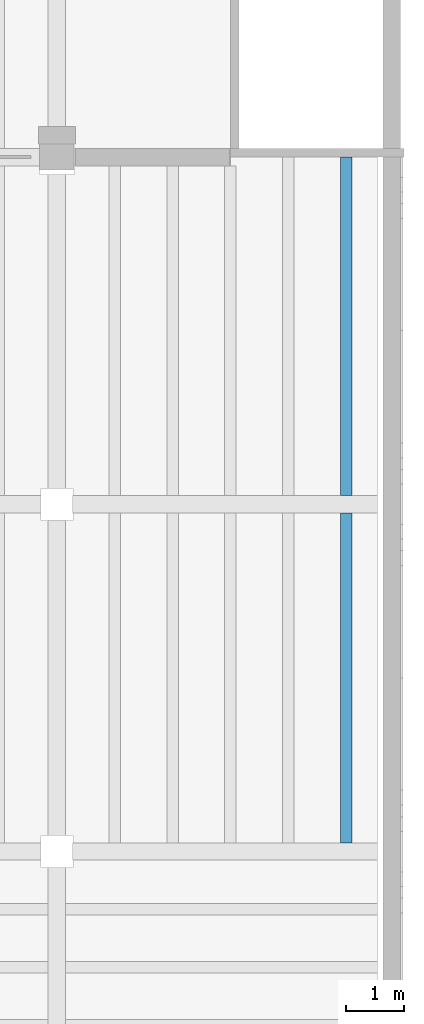
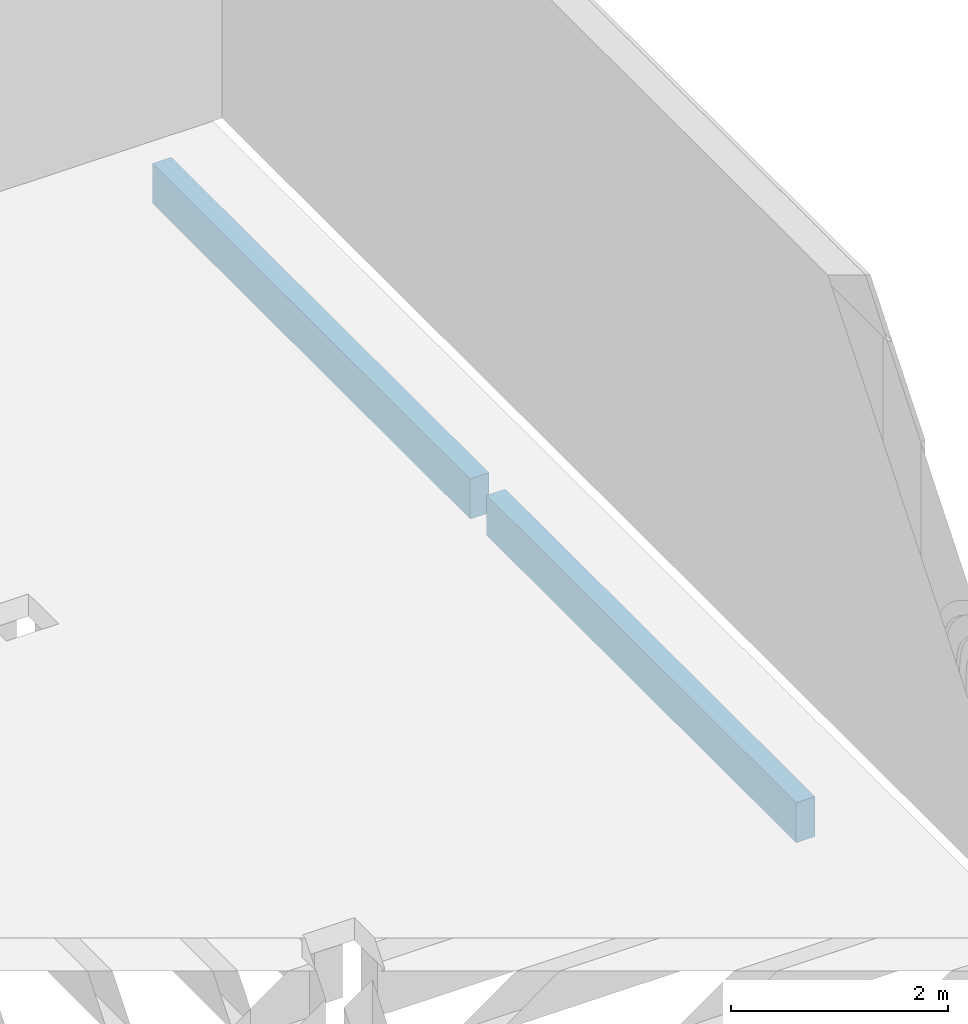
# One storey, part 18 of 80: 2 beams.
"""IFC4 building model written with IfcOpenShell, lengths in metres."""

import ifcopenshell
import ifcopenshell.guid

model = None  # the IFC model being written
_history = None  # IfcOwnerHistory: only IFC2X3 demands one
_inside = {}  # id of a spatial element -> (the spatial element, [elements in it])
_under = {}  # id of a project, library or spatial element -> (it, [spatial elements below it])
_declared = {}  # id of a project -> (the project, [libraries it declares])
_typed = {}  # id of a type object -> (the type object, [elements of that type])
_made_of = {}  # id of a material, layer set ... -> (it, [elements and type objects made of it])


def new_model(schema):
    """Start an empty IFC model of exactly this schema.

    Asked for "IFC4X3", IfcOpenShell would pick the latest addendum, in which some entities
    have other attributes; the version numbers below select the first issue.
    IFC2X3 requires an IfcOwnerHistory on every rooted entity: one is made here for all.
    """
    global model, _history
    if schema == "IFC4X3":
        model = ifcopenshell.file(schema_version=(4, 3, 0, 0))
    else:
        model = ifcopenshell.file(schema=schema)
    _inside.clear()
    _under.clear()
    _declared.clear()
    _typed.clear()
    _made_of.clear()
    _history = None
    if model.schema == "IFC2X3":
        org = make("IfcOrganization", Name="unknown")
        user = make(
            "IfcPersonAndOrganization",
            ThePerson=make("IfcPerson", FamilyName="unknown"),
            TheOrganization=org,
        )
        app = make(
            "IfcApplication",
            ApplicationDeveloper=org,
            Version="unknown",
            ApplicationFullName="unknown",
            ApplicationIdentifier="unknown",
        )
        _history = make(
            "IfcOwnerHistory",
            OwningUser=user,
            OwningApplication=app,
            ChangeAction="ADDED",
            CreationDate=0,
        )
    return model


def make(cls, **values):
    """One entity of the class cls with the attributes given. An attribute that is None is left unset."""
    return model.create_entity(
        cls, **{name: value for name, value in values.items() if value is not None}
    )


def rooted(cls, **values):
    """An entity with a GlobalId (a new one), such as an element, a storey or a relation."""
    return make(cls, GlobalId=ifcopenshell.guid.new(), OwnerHistory=_history, **values)


def si_unit(unit_type, name, prefix=None):
    """IfcSIUnit, for example si_unit("LENGTHUNIT", "METRE", prefix="MILLI")."""
    return make("IfcSIUnit", UnitType=unit_type, Prefix=prefix, Name=name)


def assignment(units):
    """IfcUnitAssignment: the units of a project."""
    return None if units is None else make("IfcUnitAssignment", Units=units)


def point(xyz):
    """IfcCartesianPoint."""
    return None if xyz is None else make("IfcCartesianPoint", Coordinates=xyz)


def direction(xyz):
    """IfcDirection."""
    return None if xyz is None else make("IfcDirection", DirectionRatios=xyz)


def frame(location, z_axis=None, x_axis=None):
    """IfcAxis2Placement3D, a coordinate frame: its origin and axes. An axis left out is left unset."""
    return make(
        "IfcAxis2Placement3D",
        Location=point(location),
        Axis=direction(z_axis),
        RefDirection=direction(x_axis),
    )


def frame_2d(location, x_axis=None):
    """IfcAxis2Placement2D, a coordinate frame in the plane: its origin and x axis."""
    return make(
        "IfcAxis2Placement2D", Location=point(location), RefDirection=direction(x_axis)
    )


def origin():
    """The frame at (0, 0, 0) with its axes left unset."""
    return frame((0.0, 0.0, 0.0))


def origin_2d():
    """The frame at (0, 0) in the plane with its x axis left unset."""
    return frame_2d((0.0, 0.0))


def place(relative_to, where):
    """IfcLocalPlacement: puts the frame where relative to a parent placement (None: the world)."""
    return make(
        "IfcLocalPlacement", PlacementRelTo=relative_to, RelativePlacement=where
    )


def context(
    kind, dimensions, precision=None, world=None, true_north=None, identifier=None
):
    """IfcGeometricRepresentationContext, for example the 3D "Model" context."""
    return make(
        "IfcGeometricRepresentationContext",
        ContextIdentifier=identifier,
        ContextType=kind,
        CoordinateSpaceDimension=dimensions,
        Precision=precision,
        WorldCoordinateSystem=world,
        TrueNorth=true_north,
    )


def subcontext(parent, identifier, kind, view, scale=None):
    """IfcGeometricRepresentationSubContext, for example "Body" below "Model"."""
    return make(
        "IfcGeometricRepresentationSubContext",
        ContextIdentifier=identifier,
        ContextType=kind,
        ParentContext=parent,
        TargetScale=scale,
        TargetView=view,
    )


def project(units=None, contexts=None):
    """IfcProject with its units and contexts."""
    return rooted(
        "IfcProject",
        Name="project",
        RepresentationContexts=contexts,
        UnitsInContext=assignment(units),
    )


def spatial(cls, under=None, at=None, **own):
    """A site, building, storey or space (cls), placed at a placement, below another one or the project."""
    s = rooted(cls, ObjectPlacement=at, **own)
    if under is not None:
        _under.setdefault(under.id(), (under, []))[1].append(s)
    return s


def profile(cls, at=None, kind="AREA", **sizes):
    """A parametric profile (cls). Its sizes go by their IFC names, for example OverallWidth=200.0."""
    return make(cls, ProfileType=kind, Position=at, **sizes)


def rectangle(**sizes):
    """IfcRectangleProfileDef."""
    return profile("IfcRectangleProfileDef", **sizes)


def extrude(swept, where, along, depth):
    """IfcExtrudedAreaSolid: the profile swept, set in the frame where, extruded along a direction by depth."""
    return make(
        "IfcExtrudedAreaSolid",
        SweptArea=swept,
        Position=where,
        ExtrudedDirection=direction(along),
        Depth=depth,
    )


def shape(context_of_items, identifier, shape_type, items):
    """IfcShapeRepresentation: the items that make up one representation, for example the "Body"."""
    return make(
        "IfcShapeRepresentation",
        ContextOfItems=context_of_items,
        RepresentationIdentifier=identifier,
        RepresentationType=shape_type,
        Items=items,
    )


def material(Name=None, Category=None):
    """IfcMaterial."""
    return make("IfcMaterial", Name=Name, Category=Category)


def material_profile(
    of_material, cross_section, Name=None, Category=None, Priority=None
):
    """IfcMaterialProfile: a cross section and its material."""
    return make(
        "IfcMaterialProfile",
        Name=Name,
        Material=of_material,
        Profile=cross_section,
        Priority=Priority,
        Category=Category,
    )


def profile_set(profiles, Name=None, composite=None):
    """IfcMaterialProfileSet."""
    return make(
        "IfcMaterialProfileSet",
        Name=Name,
        MaterialProfiles=profiles,
        CompositeProfile=composite,
    )


def made_of(thing, what):
    """Note that an element or type object is made of a material, layer set ...; save() writes the relation."""
    if what is not None:
        _made_of.setdefault(what.id(), (what, []))[1].append(thing)
    return thing


def type_object(cls, material=None, **own):
    """A type object (cls), such as IfcWallType, which elements share."""
    return made_of(rooted(cls, **own), material)


def element(
    cls,
    number,
    at=None,
    inside=None,
    cuts=None,
    type_object=None,
    material=None,
    context=None,
    identifier="Body",
    shape_type=None,
    held_by="IfcProductDefinitionShape",
    body=None,
    shapes=None,
    **own,
):
    """One element of the class cls, such as IfcWall. Its Tag is "e" and its number.

    at: its placement. inside: the storey or other place that contains it. cuts: it is an
    opening in that element (IfcRelVoidsElement). A single representation is given by context,
    identifier, shape_type and body (its items); several are given by shapes. held_by: the class
    of the entity that holds the representations. save() writes the other relations.
    """
    e = rooted(cls, Tag="e%d" % number, ObjectPlacement=at, **own)
    if body is not None:
        shapes = [shape(context, identifier, shape_type, body)]
    if shapes is not None:
        e.Representation = make(held_by, Representations=shapes)
    if inside is not None:
        _inside.setdefault(inside.id(), (inside, []))[1].append(e)
    if cuts is not None:
        rooted(
            "IfcRelVoidsElement", RelatingBuildingElement=cuts, RelatedOpeningElement=e
        )
    if type_object is not None:
        _typed.setdefault(type_object.id(), (type_object, []))[1].append(e)
    return made_of(e, material)


def aggregate(whole, parts):
    """IfcRelAggregates: a whole, such as a stair, and the parts it consists of."""
    return rooted("IfcRelAggregates", RelatingObject=whole, RelatedObjects=parts)


def save(model, path):
    """Write the relations noted so far, then the file.

    IfcRelAggregates (storeys below a building ...), IfcRelContainedInSpatialStructure (elements
    in a storey), IfcRelDefinesByType, IfcRelAssociatesMaterial and IfcRelDeclares: one each for
    every whole, place, type object, material and project.
    """
    for whole, parts in _under.values():
        aggregate(whole, parts)
    for where, things in _inside.values():
        rooted(
            "IfcRelContainedInSpatialStructure",
            RelatedElements=things,
            RelatingStructure=where,
        )
    for kind, things in _typed.values():
        rooted("IfcRelDefinesByType", RelatedObjects=things, RelatingType=kind)
    for what, things in _made_of.values():
        rooted("IfcRelAssociatesMaterial", RelatedObjects=things, RelatingMaterial=what)
    for by, libraries in _declared.values():
        rooted("IfcRelDeclares", RelatingContext=by, RelatedDefinitions=libraries)
    model.write(path)


model = new_model("IFC4")

# Units and contexts
model_context = context("Model", 3, precision=1e-05, world=origin(), true_north=direction((0.0, 1.0)))
body_context = subcontext(model_context, "Body", "Model", "MODEL_VIEW")
ifc_project = project(units=[si_unit("LENGTHUNIT", "METRE"), si_unit("AREAUNIT", "SQUARE_METRE"), si_unit("VOLUMEUNIT", "CUBIC_METRE"), si_unit("PLANEANGLEUNIT", "RADIAN"), si_unit("MASSUNIT", "GRAM", prefix="KILO")], contexts=[model_context])

# Site, building, storey
site_placement = place(None, origin())
site = spatial("IfcSite", under=ifc_project, at=site_placement, CompositionType="ELEMENT")
building_placement = place(site_placement, origin())
building = spatial("IfcBuilding", under=site, at=building_placement, Name="Saffron Lane Theatres", CompositionType="ELEMENT")
storey_placement = place(building_placement, frame((0.0, 0.0, 7.0)))
storey = spatial("IfcBuildingStorey", under=building, at=storey_placement, Name="L01", CompositionType="ELEMENT", Elevation=7.0)

# Beams
ifc_material = material(Name="Concrete N40 (40 MPa)", Category="concrete")
ifc_material_profile = material_profile(ifc_material, rectangle(XDim=0.199951171875, YDim=0.449951171875, at=origin_2d()))
ifc_profile_set = profile_set([ifc_material_profile], Name="Concrete N40 (40 MPa)")
beam_type = type_object("IfcBeamType", Name="RC-JOIST 200x450", PredefinedType="JOIST", material=ifc_profile_set)
beam_1_placement = place(storey_placement, frame((65.0, 6.14990234375, -0.47509765625), z_axis=(0.0, 1.0, 0.0), x_axis=(-1.0, 0.0, 0.0)))
element("IfcBeam", 1, at=beam_1_placement, inside=storey, type_object=beam_type, Name="joist-L01-y6500-62", PredefinedType="JOIST", context=body_context, shape_type="SweptSolid", body=[
    extrude(rectangle(XDim=0.199951171875, YDim=0.449951171875, at=origin_2d()), origin(), (0.0, 0.0, 1.0), 5.7001953125),
])
beam_2_placement = place(storey_placement, frame((65.0, 12.14990234375, -0.47509765625), z_axis=(0.0, 1.0, 0.0), x_axis=(-1.0, 0.0, 0.0)))
element("IfcBeam", 2, at=beam_2_placement, inside=storey, type_object=beam_type, Name="joist-L01-y6500-122", PredefinedType="JOIST", context=body_context, shape_type="SweptSolid", body=[
    extrude(rectangle(XDim=0.199951171875, YDim=0.449951171875, at=origin_2d()), origin(), (0.0, 0.0, 1.0), 5.85009765625),
])

save(model, "model.ifc")
